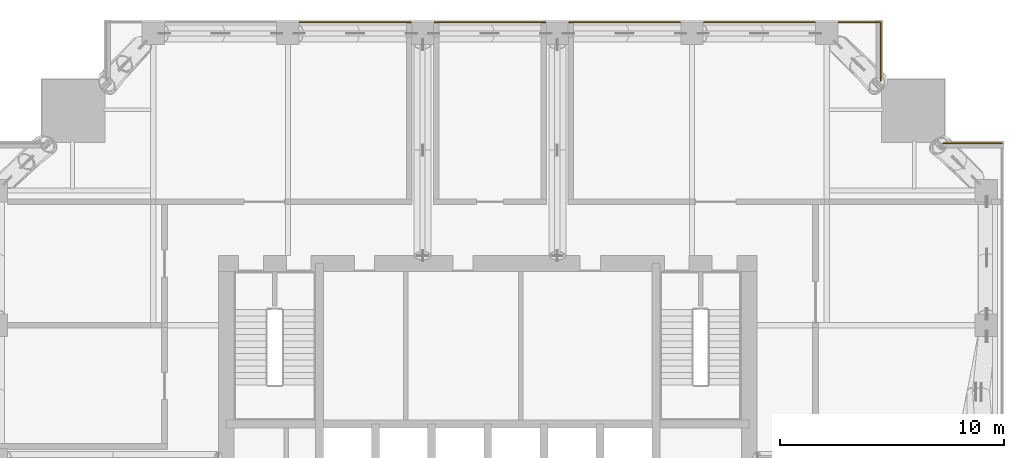
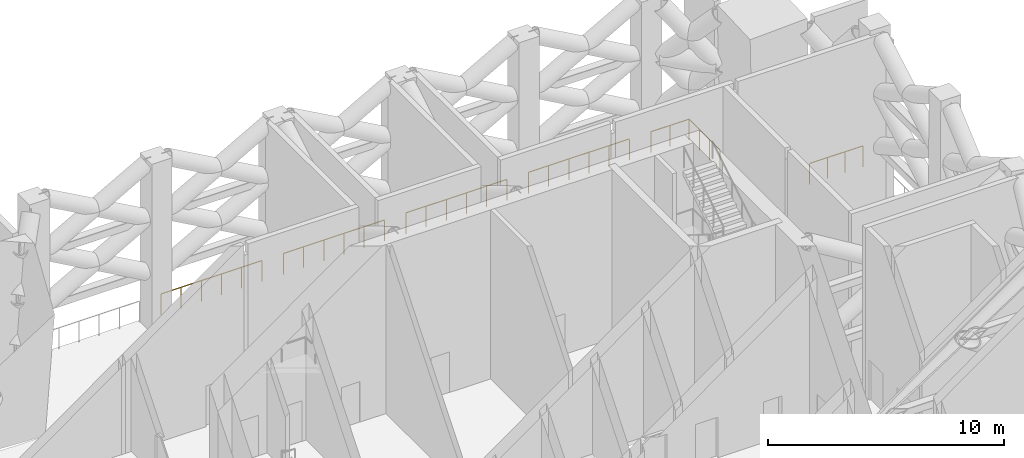
# One storey, part 18 of 18: 7 railings.
"""IFC4 building model written with IfcOpenShell, lengths in metres."""

from ifc_helpers import new_model, si_unit, direction, frame, origin, origin_2d, place, context, subcontext, project, spatial, circle, extrude, material, type_object, element, save


model = new_model("IFC4")

# Units and contexts
model_context = context("Model", 3, precision=1e-05, world=origin(), true_north=direction((0.0, 1.0)))
body_context = subcontext(model_context, "Body", "Model", "MODEL_VIEW")
ifc_project = project(units=[si_unit("LENGTHUNIT", "METRE"), si_unit("AREAUNIT", "SQUARE_METRE"), si_unit("VOLUMEUNIT", "CUBIC_METRE"), si_unit("PLANEANGLEUNIT", "RADIAN"), si_unit("MASSUNIT", "GRAM", prefix="KILO")], contexts=[model_context])

# Site, building, storey
site_placement = place(None, origin())
site = spatial("IfcSite", under=ifc_project, at=site_placement, CompositionType="ELEMENT")
building_placement = place(site_placement, origin())
building = spatial("IfcBuilding", under=site, at=building_placement, Name="Amberfall Residences", CompositionType="ELEMENT")
storey_placement = place(building_placement, frame((0.0, 0.0, 178.0)))
storey = spatial("IfcBuildingStorey", under=building, at=storey_placement, Name="L48", CompositionType="ELEMENT", Elevation=178.0)

# Railings
ifc_material = material(Name="Bronze anodised aluminium and laminated glass", Category="aluminium")
railing_type = type_object("IfcRailingType", Name="Refuge edge guard 1100", PredefinedType="GUARDRAIL", material=ifc_material)
for number, where, name in (
    (1, (66.1298828125, 67.89990234375, 0.0), "Refuge edge guard L48 21"),
    (2, (72.1298828125, 67.89990234375, 0.0), "Refuge edge guard L48 22"),
    (3, (78.1298828125, 67.89990234375, 0.0), "Refuge edge guard L48 23"),
    (4, (84.1298828125, 67.89990234375, 0.0), "Refuge edge guard L48 24"),
):
    element("IfcRailing", number, at=place(storey_placement, frame(where)), inside=storey, type_object=railing_type, Name=name, PredefinedType="GUARDRAIL", context=body_context, shape_type="SweptSolid", body=[
        extrude(circle(Radius=0.02392578125, at=origin_2d()), frame((0.0, 0.0, 1.076171875), z_axis=(1.0, 0.0, 0.0), x_axis=(0.0, 1.0, 0.0)), (0.0, 0.0, 1.0), 4.940185546875),
        extrude(circle(Radius=0.02099609375, at=origin_2d()), origin(), (0.0, 0.0, 1.0), 1.052001953125),
        extrude(circle(Radius=0.02099609375, at=origin_2d()), frame((0.988037109375, 0.0, 0.0)), (0.0, 0.0, 1.0), 1.052001953125),
        extrude(circle(Radius=0.02099609375, at=origin_2d()), frame((1.97607421875, 0.0, 0.0)), (0.0, 0.0, 1.0), 1.052001953125),
        extrude(circle(Radius=0.02099609375, at=origin_2d()), frame((2.964111328125, 0.0, 0.0)), (0.0, 0.0, 1.0), 1.052001953125),
        extrude(circle(Radius=0.02099609375, at=origin_2d()), frame((3.9521484375, 0.0, 0.0)), (0.0, 0.0, 1.0), 1.052001953125),
        extrude(circle(Radius=0.02099609375, at=origin_2d()), frame((4.940185546875, 0.0, 0.0)), (0.0, 0.0, 1.0), 1.052001953125),
    ])
railing_1_placement = place(storey_placement, frame((90.1298828125, 67.89990234375, 0.0)))
element("IfcRailing", 5, at=railing_1_placement, inside=storey, type_object=railing_type, Name="Refuge edge guard L48 25", PredefinedType="GUARDRAIL", context=body_context, shape_type="SweptSolid", body=[
    extrude(circle(Radius=0.02392578125, at=origin_2d()), frame((0.0, 0.0, 1.076171875), z_axis=(1.0, 0.0, 0.0), x_axis=(0.0, 1.0, 0.0)), (0.0, 0.0, 1.0), 1.8701171875),
    extrude(circle(Radius=0.02099609375, at=origin_2d()), origin(), (0.0, 0.0, 1.0), 1.052001953125),
    extrude(circle(Radius=0.02099609375, at=origin_2d()), frame((0.93505859375, 0.0, 0.0)), (0.0, 0.0, 1.0), 1.052001953125),
    extrude(circle(Radius=0.02099609375, at=origin_2d()), frame((1.8701171875, 0.0, 0.0)), (0.0, 0.0, 1.0), 1.052001953125),
])
railing_2_placement = place(storey_placement, frame((92.0, 67.89990234375, 0.0)))
element("IfcRailing", 6, at=railing_2_placement, inside=storey, type_object=railing_type, Name="Refuge edge guard L48 26", PredefinedType="GUARDRAIL", context=body_context, shape_type="SweptSolid", body=[
    extrude(circle(Radius=0.02392578125, at=origin_2d()), frame((0.0, 0.0, 1.076171875), z_axis=(0.0, -1.0, 0.0), x_axis=(1.0, 0.0, 0.0)), (0.0, 0.0, 1.0), 2.608154296875),
    extrude(circle(Radius=0.02099609375, at=origin_2d()), origin(), (0.0, 0.0, 1.0), 1.052001953125),
    extrude(circle(Radius=0.02099609375, at=origin_2d()), frame((0.0, -0.869384765625, 0.0)), (0.0, 0.0, 1.0), 1.052001953125),
    extrude(circle(Radius=0.02099609375, at=origin_2d()), frame((0.0, -1.73876953125, 0.0)), (0.0, 0.0, 1.0), 1.052001953125),
    extrude(circle(Radius=0.02099609375, at=origin_2d()), frame((0.0, -2.608154296875, 0.0)), (0.0, 0.0, 1.0), 1.052001953125),
])
railing_3_placement = place(storey_placement, frame((94.791748046875, 62.5, 0.0)))
element("IfcRailing", 7, at=railing_3_placement, inside=storey, type_object=railing_type, Name="Refuge edge guard L48 27", PredefinedType="GUARDRAIL", context=body_context, shape_type="SweptSolid", body=[
    extrude(circle(Radius=0.02392578125, at=origin_2d()), frame((0.0, 0.0, 1.076171875), z_axis=(1.0, 0.0, 0.0), x_axis=(0.0, 1.0, 0.0)), (0.0, 0.0, 1.0), 2.608154296875),
    extrude(circle(Radius=0.02099609375, at=origin_2d()), origin(), (0.0, 0.0, 1.0), 1.052001953125),
    extrude(circle(Radius=0.02099609375, at=origin_2d()), frame((0.869384765625, 0.0, 0.0)), (0.0, 0.0, 1.0), 1.052001953125),
    extrude(circle(Radius=0.02099609375, at=origin_2d()), frame((1.73876953125, 0.0, 0.0)), (0.0, 0.0, 1.0), 1.052001953125),
    extrude(circle(Radius=0.02099609375, at=origin_2d()), frame((2.608154296875, 0.0, 0.0)), (0.0, 0.0, 1.0), 1.052001953125),
])

save(model, "model.ifc")
